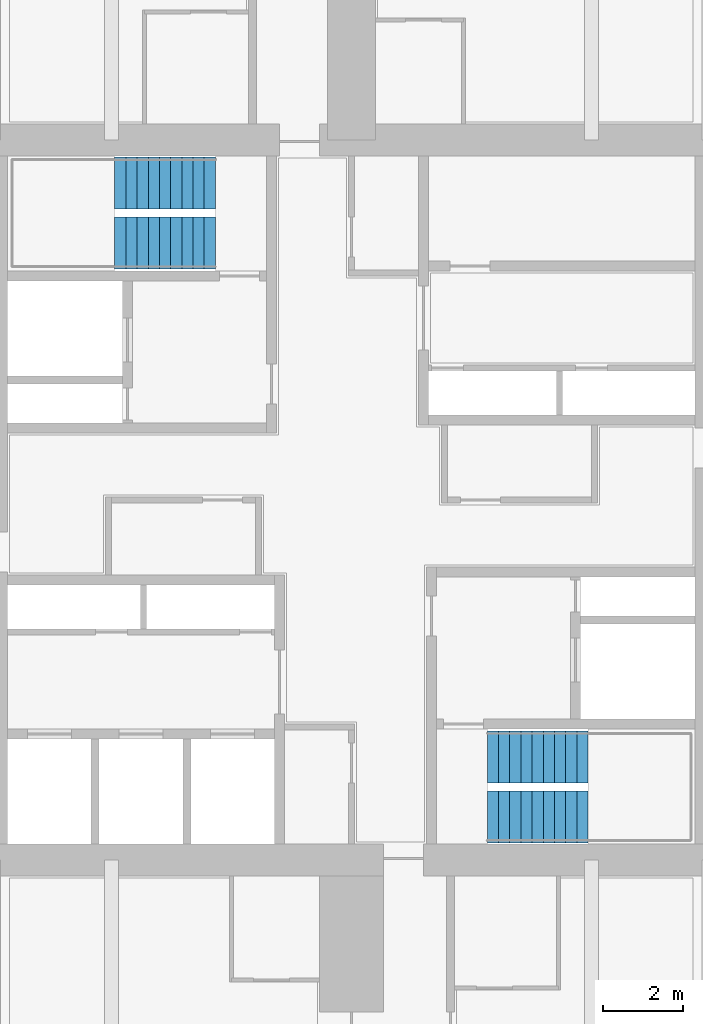
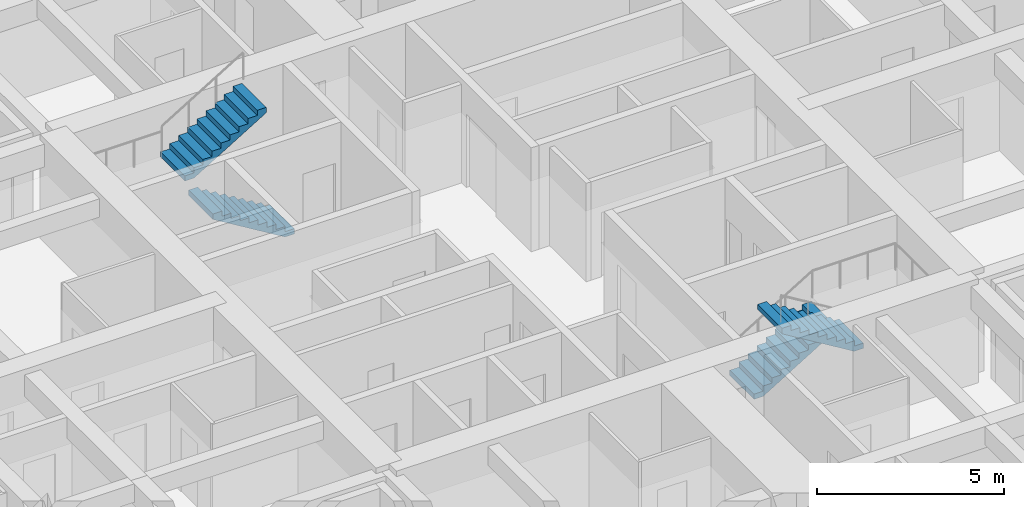
# One storey, part 13 of 14: 4 stair flights, 2 elements without a shape of their own.
"""IFC4 building model written with IfcOpenShell, lengths in metres."""

from ifc_helpers import new_model, si_unit, direction, frame, origin, place, context, subcontext, project, spatial, polyline, outline, extrude, material, type_object, element, aggregate, save


model = new_model("IFC4")

# Units and contexts
model_context = context("Model", 3, precision=1e-05, world=origin(), true_north=direction((0.0, 1.0)))
body_context = subcontext(model_context, "Body", "Model", "MODEL_VIEW")
ifc_project = project(units=[si_unit("LENGTHUNIT", "METRE"), si_unit("AREAUNIT", "SQUARE_METRE"), si_unit("VOLUMEUNIT", "CUBIC_METRE"), si_unit("PLANEANGLEUNIT", "RADIAN"), si_unit("MASSUNIT", "GRAM", prefix="KILO")], contexts=[model_context])

# Site, building, storey
site_placement = place(None, origin())
site = spatial("IfcSite", under=ifc_project, at=site_placement, CompositionType="ELEMENT")
building_placement = place(site_placement, origin())
building = spatial("IfcBuilding", under=site, at=building_placement, Name="Torre Cruceta", CompositionType="ELEMENT")
storey_placement = place(building_placement, frame((0.0, 0.0, 225.5)))
storey = spatial("IfcBuildingStorey", under=building, at=storey_placement, Name="L57", CompositionType="ELEMENT", Elevation=225.5)

# Stair, stair flights
ifc_material_1 = material(Name="Concrete G30 (fck 30 MPa)", Category="concrete")
stair_type = type_object("IfcStairType", Name="STAIR HALF-TURN 1300", PredefinedType="HALF_TURN_STAIR", material=ifc_material_1)
stair_1_placement = place(storey_placement, origin())
stair_1 = element("IfcStair", 1, at=stair_1_placement, inside=storey, type_object=stair_type, Name="Stair ST1 L57", PredefinedType="HALF_TURN_STAIR")
ifc_material_2 = material(Name="Concrete G30 (fck 30 MPa)", Category="concrete")
stair_flight_type = type_object("IfcStairFlightType", Name="STAIR FLIGHT 1300", PredefinedType="STRAIGHT", material=ifc_material_2)
stair_flight_1_placement = place(storey_placement, frame((-3.39990234375, 6.425048828125, 0.0), z_axis=(0.0, 0.0, 1.0), x_axis=(-1.0, 0.0, 0.0)))
stair_flight_1 = element("IfcStairFlight", 2, at=stair_flight_1_placement, type_object=stair_flight_type, Name="ST1 flight 1", NumberOfRisers=10, NumberOfTreads=9, PredefinedType="STRAIGHT", RiserHeight=0.17, TreadLength=0.28, context=body_context, shape_type="SweptSolid", body=[
    extrude(outline(polyline([(0.0, 0.0), (0.0, 0.169921875), (0.280029296875, 0.169921875), (0.280029296875, 0.340087890625), (0.56005859375, 0.340087890625), (0.56005859375, 0.510009765625), (0.840087890625, 0.510009765625), (0.840087890625, 0.679931640625), (1.1201171875, 0.679931640625), (1.1201171875, 0.85009765625), (1.39990234375, 0.85009765625), (1.39990234375, 1.02001953125), (1.679931640625, 1.02001953125), (1.679931640625, 1.18994140625), (1.9599609375, 1.18994140625), (1.9599609375, 1.360107421875), (2.239990234375, 1.360107421875), (2.239990234375, 1.530029296875), (2.52001953125, 1.530029296875), (2.52001953125, 1.699951171875), (2.52001953125, 1.354736328125), (0.288818359375, 0.0), (0.0, 0.0)])), frame((0.0, 0.64990234375, 0.0), z_axis=(0.0, -1.0, 0.0), x_axis=(1.0, 0.0, 0.0)), (0.0, 0.0, 1.0), 1.300048828125),
])
stair_flight_2_placement = place(storey_placement, frame((-5.919921875, 7.925048828125, 1.699951171875), z_axis=(0.0, 0.0, 1.0), x_axis=(1.0, 0.0, 0.0)))
stair_flight_2 = element("IfcStairFlight", 3, at=stair_flight_2_placement, type_object=stair_flight_type, Name="ST1 flight 2", NumberOfRisers=10, NumberOfTreads=9, PredefinedType="STRAIGHT", RiserHeight=0.17, TreadLength=0.28, context=body_context, shape_type="SweptSolid", body=[
    extrude(outline(polyline([(0.0, 0.0), (0.0, 0.169921875), (0.280029296875, 0.169921875), (0.280029296875, 0.340087890625), (0.56005859375, 0.340087890625), (0.56005859375, 0.510009765625), (0.840087890625, 0.510009765625), (0.840087890625, 0.679931640625), (1.1201171875, 0.679931640625), (1.1201171875, 0.85009765625), (1.39990234375, 0.85009765625), (1.39990234375, 1.02001953125), (1.679931640625, 1.02001953125), (1.679931640625, 1.18994140625), (1.9599609375, 1.18994140625), (1.9599609375, 1.360107421875), (2.239990234375, 1.360107421875), (2.239990234375, 1.530029296875), (2.52001953125, 1.530029296875), (2.52001953125, 1.699951171875), (2.52001953125, 1.354736328125), (0.288818359375, 0.0), (0.0, 0.0)])), frame((0.0, 0.64990234375, 0.0), z_axis=(0.0, -1.0, 0.0), x_axis=(1.0, 0.0, 0.0)), (0.0, 0.0, 1.0), 1.300048828125),
])
aggregate(stair_1, [stair_flight_1, stair_flight_2])

stair_2_placement = place(storey_placement, origin())
stair_2 = element("IfcStair", 4, at=stair_2_placement, inside=storey, type_object=stair_type, Name="Stair ST2 L57", PredefinedType="HALF_TURN_STAIR")
stair_flight_3_placement = place(storey_placement, frame((3.39990234375, -6.425048828125, 0.0), z_axis=(0.0, 0.0, 1.0), x_axis=(1.0, 0.0, 0.0)))
stair_flight_3 = element("IfcStairFlight", 5, at=stair_flight_3_placement, type_object=stair_flight_type, Name="ST2 flight 1", NumberOfRisers=10, NumberOfTreads=9, PredefinedType="STRAIGHT", RiserHeight=0.17, TreadLength=0.28, context=body_context, shape_type="SweptSolid", body=[
    extrude(outline(polyline([(0.0, 0.0), (0.0, 0.169921875), (0.280029296875, 0.169921875), (0.280029296875, 0.340087890625), (0.56005859375, 0.340087890625), (0.56005859375, 0.510009765625), (0.840087890625, 0.510009765625), (0.840087890625, 0.679931640625), (1.1201171875, 0.679931640625), (1.1201171875, 0.85009765625), (1.39990234375, 0.85009765625), (1.39990234375, 1.02001953125), (1.679931640625, 1.02001953125), (1.679931640625, 1.18994140625), (1.9599609375, 1.18994140625), (1.9599609375, 1.360107421875), (2.239990234375, 1.360107421875), (2.239990234375, 1.530029296875), (2.52001953125, 1.530029296875), (2.52001953125, 1.699951171875), (2.52001953125, 1.354736328125), (0.288818359375, 0.0), (0.0, 0.0)])), frame((0.0, 0.64990234375, 0.0), z_axis=(0.0, -1.0, 0.0), x_axis=(1.0, 0.0, 0.0)), (0.0, 0.0, 1.0), 1.300048828125),
])
stair_flight_4_placement = place(storey_placement, frame((5.919921875, -7.925048828125, 1.699951171875), z_axis=(0.0, 0.0, 1.0), x_axis=(-1.0, 0.0, 0.0)))
stair_flight_4 = element("IfcStairFlight", 6, at=stair_flight_4_placement, type_object=stair_flight_type, Name="ST2 flight 2", NumberOfRisers=10, NumberOfTreads=9, PredefinedType="STRAIGHT", RiserHeight=0.17, TreadLength=0.28, context=body_context, shape_type="SweptSolid", body=[
    extrude(outline(polyline([(0.0, 0.0), (0.0, 0.169921875), (0.280029296875, 0.169921875), (0.280029296875, 0.340087890625), (0.56005859375, 0.340087890625), (0.56005859375, 0.510009765625), (0.840087890625, 0.510009765625), (0.840087890625, 0.679931640625), (1.1201171875, 0.679931640625), (1.1201171875, 0.85009765625), (1.39990234375, 0.85009765625), (1.39990234375, 1.02001953125), (1.679931640625, 1.02001953125), (1.679931640625, 1.18994140625), (1.9599609375, 1.18994140625), (1.9599609375, 1.360107421875), (2.239990234375, 1.360107421875), (2.239990234375, 1.530029296875), (2.52001953125, 1.530029296875), (2.52001953125, 1.699951171875), (2.52001953125, 1.354736328125), (0.288818359375, 0.0), (0.0, 0.0)])), frame((0.0, 0.64990234375, 0.0), z_axis=(0.0, -1.0, 0.0), x_axis=(1.0, 0.0, 0.0)), (0.0, 0.0, 1.0), 1.300048828125),
])
aggregate(stair_2, [stair_flight_3, stair_flight_4])

save(model, "model.ifc")
